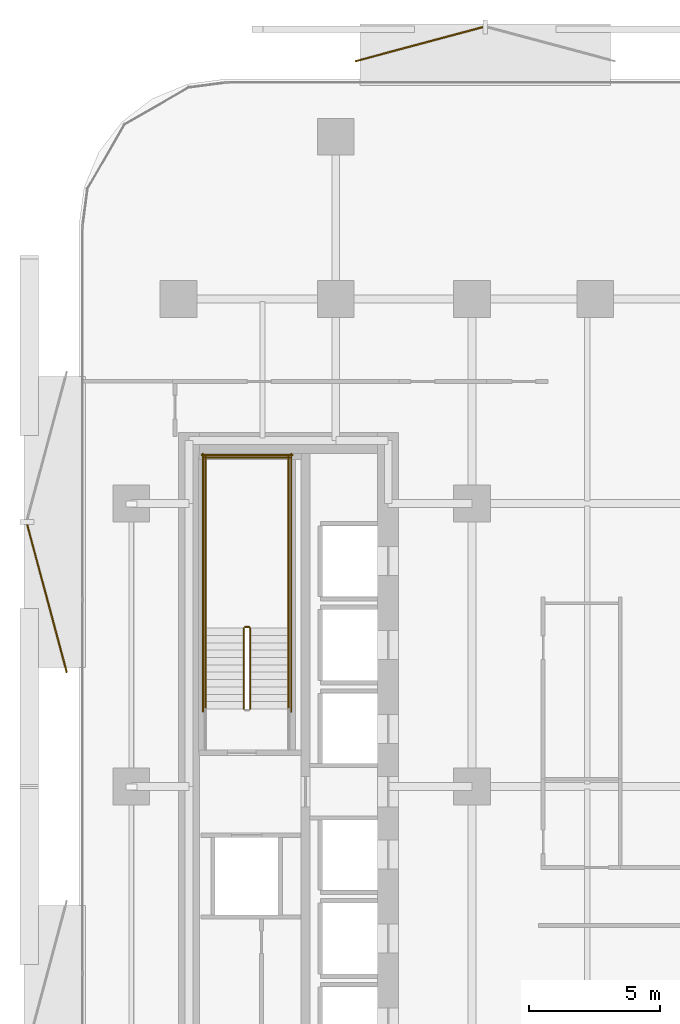
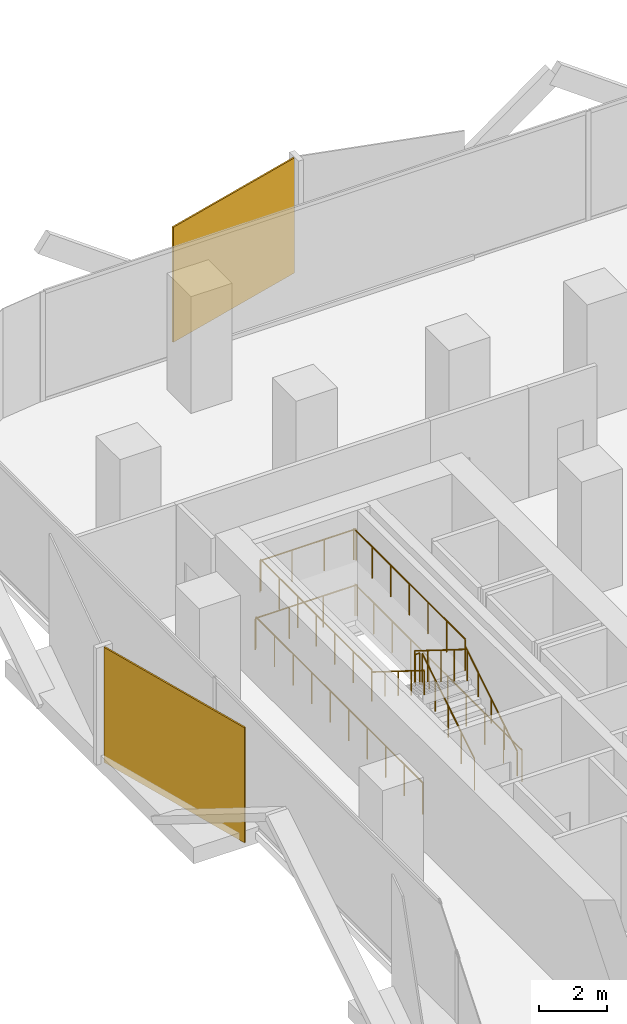
# One storey, part 14 of 15: 11 railings, 2 coverings.
"""IFC4 building model written with IfcOpenShell, lengths in metres."""

from ifc_helpers import new_model, si_unit, direction, frame, origin, origin_2d, place, context, subcontext, project, spatial, rectangle, circle, extrude, material, layer, layer_set, type_object, element, save


model = new_model("IFC4")

# Units and contexts
model_context = context("Model", 3, precision=1e-05, world=origin(), true_north=direction((0.0, 1.0)))
body_context = subcontext(model_context, "Body", "Model", "MODEL_VIEW")
ifc_project = project(units=[si_unit("LENGTHUNIT", "METRE"), si_unit("AREAUNIT", "SQUARE_METRE"), si_unit("VOLUMEUNIT", "CUBIC_METRE"), si_unit("PLANEANGLEUNIT", "RADIAN"), si_unit("MASSUNIT", "GRAM", prefix="KILO")], contexts=[model_context])

# Site, building, storey
site_placement = place(None, origin())
site = spatial("IfcSite", under=ifc_project, at=site_placement, CompositionType="ELEMENT")
building_placement = place(site_placement, origin())
building = spatial("IfcBuilding", under=site, at=building_placement, Name="Khairoan Windgate Tower", CompositionType="ELEMENT")
storey_placement = place(building_placement, frame((0.0, 0.0, 34.39990234375)))
storey = spatial("IfcBuildingStorey", under=building, at=storey_placement, Name="L08", CompositionType="ELEMENT", Elevation=34.39990234375)

# Coverings
ifc_material_1 = material(Name="Anodised Bronze Aluminium 6063-T6", Category="aluminium")
ifc_layer = layer(ifc_material_1, 0.054931640625, Name="Anodised Bronze Aluminium 6063-T6")
ifc_layer_set = layer_set([ifc_layer], Name="Anodised Bronze Aluminium 6063-T6")
covering_type = type_object("IfcCoveringType", Name="Perforated Bronze-Ceramic Folded Solar Screen Cladding BSC-1", PredefinedType="CLADDING", material=ifc_layer_set)
covering_1_placement = place(storey_placement, frame((-25.42236328125, 7.177734375, -0.099609375), z_axis=(0.0, 0.0, 1.0), x_axis=(-0.258819045103, 0.965925826289, 0.0)))
element("IfcCovering", 1, at=covering_1_placement, inside=storey, type_object=covering_type, Name="L08 Folded Bronze Solar Screen Facet 20L", PredefinedType="CLADDING", context=body_context, shape_type="SweptSolid", body=[
    extrude(rectangle(XDim=5.85498046875, YDim=0.054931640625, at=origin_2d()), origin(), (0.0, 0.0, 1.0), 4.139892578125),
])
covering_2_placement = place(storey_placement, frame((-11.220947265625, 28.327392578125, -0.099609375), z_axis=(0.0, 0.0, 1.0), x_axis=(0.965925826289, 0.258819045103, 0.0)))
element("IfcCovering", 2, at=covering_2_placement, inside=storey, type_object=covering_type, Name="L08 Folded Bronze Solar Screen Facet 21L", PredefinedType="CLADDING", context=body_context, shape_type="SweptSolid", body=[
    extrude(rectangle(XDim=5.04296875, YDim=0.054931640625, at=origin_2d()), origin(), (0.0, 0.0, 1.0), 4.139892578125),
])

# Railings
ifc_material_2 = material(Name="Anodised Bronze Aluminium 6063-T6", Category="aluminium")
railing_type_1 = type_object("IfcRailingType", Name="Stair Wall Handrail SHR-900", PredefinedType="HANDRAIL", material=ifc_material_2)
railing_1_placement = place(storey_placement, frame((-16.199951171875, 2.9599609375, 0.175048828125)))
element("IfcRailing", 3, at=railing_1_placement, inside=storey, type_object=railing_type_1, Name="L08 ST2 stair handrail 1", PredefinedType="HANDRAIL", context=body_context, shape_type="SweptSolid", body=[
    extrude(circle(Radius=0.02392578125, at=origin_2d()), frame((0.0, 0.0, 0.8759765625), z_axis=(0.0, 0.847998304005, 0.529998940003), x_axis=(-1.0, 0.0, 0.0)), (0.0, 0.0, 1.0), 3.632080078125),
    extrude(circle(Radius=0.02099609375, at=origin_2d()), origin(), (0.0, 0.0, 1.0), 0.851806640625),
    extrude(circle(Radius=0.02099609375, at=origin_2d()), frame((0.0, 0.77001953125, 0.481201171875)), (0.0, 0.0, 1.0), 0.851806640625),
    extrude(circle(Radius=0.02099609375, at=origin_2d()), frame((0.0, 1.5400390625, 0.96240234375)), (0.0, 0.0, 1.0), 0.851806640625),
    extrude(circle(Radius=0.02099609375, at=origin_2d()), frame((0.0, 2.31005859375, 1.44384765625)), (0.0, 0.0, 1.0), 0.851806640625),
    extrude(circle(Radius=0.02099609375, at=origin_2d()), frame((0.0, 3.080078125, 1.925048828125)), (0.0, 0.0, 1.0), 0.851806640625),
])
railing_2_placement = place(storey_placement, frame((-19.3701171875, 6.0400390625, 2.275146484375)))
element("IfcRailing", 4, at=railing_2_placement, inside=storey, type_object=railing_type_1, Name="L08 ST2 stair handrail 2", PredefinedType="HANDRAIL", context=body_context, shape_type="SweptSolid", body=[
    extrude(circle(Radius=0.02392578125, at=origin_2d()), frame((0.0, 0.0, 0.8759765625), z_axis=(0.0, -0.847998304005, 0.529998940003), x_axis=(1.0, 0.0, 0.0)), (0.0, 0.0, 1.0), 3.632080078125),
    extrude(circle(Radius=0.02099609375, at=origin_2d()), origin(), (0.0, 0.0, 1.0), 0.851806640625),
    extrude(circle(Radius=0.02099609375, at=origin_2d()), frame((0.0, -0.77001953125, 0.481201171875)), (0.0, 0.0, 1.0), 0.851806640625),
    extrude(circle(Radius=0.02099609375, at=origin_2d()), frame((0.0, -1.5400390625, 0.96240234375)), (0.0, 0.0, 1.0), 0.851806640625),
    extrude(circle(Radius=0.02099609375, at=origin_2d()), frame((0.0, -2.31005859375, 1.44384765625)), (0.0, 0.0, 1.0), 0.851806640625),
    extrude(circle(Radius=0.02099609375, at=origin_2d()), frame((0.0, -3.080078125, 1.925048828125)), (0.0, 0.0, 1.0), 0.851806640625),
])
ifc_material_3 = material(Name="Steel S355", Category="steel")
railing_type_2 = type_object("IfcRailingType", Name="Stairwell Safety Guardrail SGR-1150", PredefinedType="GUARDRAIL", material=ifc_material_3)
railing_3_placement = place(storey_placement, frame((-17.659912109375, 2.9599609375, 0.175048828125)))
element("IfcRailing", 5, at=railing_3_placement, inside=storey, type_object=railing_type_2, Name="L08 ST2 stair guard 1", PredefinedType="GUARDRAIL", context=body_context, shape_type="SweptSolid", body=[
    extrude(circle(Radius=0.02392578125, at=origin_2d()), frame((0.0, 0.0, 1.1259765625), z_axis=(0.0, 0.847998304005, 0.529998940003), x_axis=(-1.0, 0.0, 0.0)), (0.0, 0.0, 1.0), 3.632080078125),
    extrude(circle(Radius=0.02099609375, at=origin_2d()), origin(), (0.0, 0.0, 1.0), 1.101806640625),
    extrude(circle(Radius=0.02099609375, at=origin_2d()), frame((0.0, 0.77001953125, 0.481201171875)), (0.0, 0.0, 1.0), 1.101806640625),
    extrude(circle(Radius=0.02099609375, at=origin_2d()), frame((0.0, 1.5400390625, 0.96240234375)), (0.0, 0.0, 1.0), 1.101806640625),
    extrude(circle(Radius=0.02099609375, at=origin_2d()), frame((0.0, 2.31005859375, 1.44384765625)), (0.0, 0.0, 1.0), 1.101806640625),
    extrude(circle(Radius=0.02099609375, at=origin_2d()), frame((0.0, 3.080078125, 1.925048828125)), (0.0, 0.0, 1.0), 1.101806640625),
])
railing_4_placement = place(storey_placement, frame((-17.7099609375, 6.090087890625, 2.10009765625)))
element("IfcRailing", 6, at=railing_4_placement, inside=storey, type_object=railing_type_2, Name="L08 ST2 stair guard 2", PredefinedType="GUARDRAIL", context=body_context, shape_type="SweptSolid", body=[
    extrude(circle(Radius=0.02392578125, at=origin_2d()), frame((0.0, 0.0, 1.1259765625), z_axis=(-1.0, 0.0, 0.0), x_axis=(0.0, -1.0, 0.0)), (0.0, 0.0, 1.0), 0.150146484375),
    extrude(circle(Radius=0.02099609375, at=origin_2d()), origin(), (0.0, 0.0, 1.0), 1.101806640625),
    extrude(circle(Radius=0.02099609375, at=origin_2d()), frame((-0.150146484375, 0.0, 0.0)), (0.0, 0.0, 1.0), 1.101806640625),
])
for number, where, name in (
    (7, (-16.199951171875, 6.0400390625, 2.10009765625), "L08 ST2 stair guard 3"),
    (8, (-19.3701171875, 6.0400390625, 2.10009765625), "L08 ST2 stair guard 4"),
):
    element("IfcRailing", number, at=place(storey_placement, frame(where)), inside=storey, type_object=railing_type_2, Name=name, PredefinedType="GUARDRAIL", context=body_context, shape_type="SweptSolid", body=[
        extrude(circle(Radius=0.02392578125, at=origin_2d()), frame((0.0, 0.0, 1.1259765625), z_axis=(0.0, 1.0, 0.0), x_axis=(-1.0, 0.0, 0.0)), (0.0, 0.0, 1.0), 6.56005859375),
        extrude(circle(Radius=0.02099609375, at=origin_2d()), origin(), (0.0, 0.0, 1.0), 1.101806640625),
        extrude(circle(Radius=0.02099609375, at=origin_2d()), frame((0.0, 1.09326171875, 0.0)), (0.0, 0.0, 1.0), 1.101806640625),
        extrude(circle(Radius=0.02099609375, at=origin_2d()), frame((0.0, 2.186767578125, 0.0)), (0.0, 0.0, 1.0), 1.101806640625),
        extrude(circle(Radius=0.02099609375, at=origin_2d()), frame((0.0, 3.280029296875, 0.0)), (0.0, 0.0, 1.0), 1.101806640625),
        extrude(circle(Radius=0.02099609375, at=origin_2d()), frame((0.0, 4.373291015625, 0.0)), (0.0, 0.0, 1.0), 1.101806640625),
        extrude(circle(Radius=0.02099609375, at=origin_2d()), frame((0.0, 5.466796875, 0.0)), (0.0, 0.0, 1.0), 1.101806640625),
        extrude(circle(Radius=0.02099609375, at=origin_2d()), frame((0.0, 6.56005859375, 0.0)), (0.0, 0.0, 1.0), 1.101806640625),
    ])
railing_5_placement = place(storey_placement, frame((-16.14990234375, 12.550048828125, 2.10009765625)))
element("IfcRailing", 9, at=railing_5_placement, inside=storey, type_object=railing_type_2, Name="L08 ST2 stair guard 5", PredefinedType="GUARDRAIL", context=body_context, shape_type="SweptSolid", body=[
    extrude(circle(Radius=0.02392578125, at=origin_2d()), frame((0.0, 0.0, 1.1259765625), z_axis=(-1.0, 0.0, 0.0), x_axis=(0.0, -1.0, 0.0)), (0.0, 0.0, 1.0), 3.27001953125),
    extrude(circle(Radius=0.02099609375, at=origin_2d()), origin(), (0.0, 0.0, 1.0), 1.101806640625),
    extrude(circle(Radius=0.02099609375, at=origin_2d()), frame((-1.090087890625, 0.0, 0.0)), (0.0, 0.0, 1.0), 1.101806640625),
    extrude(circle(Radius=0.02099609375, at=origin_2d()), frame((-2.179931640625, 0.0, 0.0)), (0.0, 0.0, 1.0), 1.101806640625),
    extrude(circle(Radius=0.02099609375, at=origin_2d()), frame((-3.27001953125, 0.0, 0.0)), (0.0, 0.0, 1.0), 1.101806640625),
])
railing_6_placement = place(storey_placement, frame((-17.909912109375, 6.0400390625, 2.275146484375)))
element("IfcRailing", 10, at=railing_6_placement, inside=storey, type_object=railing_type_2, Name="L08 ST2 stair guard 6", PredefinedType="GUARDRAIL", context=body_context, shape_type="SweptSolid", body=[
    extrude(circle(Radius=0.02392578125, at=origin_2d()), frame((0.0, 0.0, 1.1259765625), z_axis=(0.0, -0.847998304005, 0.529998940003), x_axis=(1.0, 0.0, 0.0)), (0.0, 0.0, 1.0), 3.632080078125),
    extrude(circle(Radius=0.02099609375, at=origin_2d()), origin(), (0.0, 0.0, 1.0), 1.101806640625),
    extrude(circle(Radius=0.02099609375, at=origin_2d()), frame((0.0, -0.77001953125, 0.481201171875)), (0.0, 0.0, 1.0), 1.101806640625),
    extrude(circle(Radius=0.02099609375, at=origin_2d()), frame((0.0, -1.5400390625, 0.96240234375)), (0.0, 0.0, 1.0), 1.101806640625),
    extrude(circle(Radius=0.02099609375, at=origin_2d()), frame((0.0, -2.31005859375, 1.44384765625)), (0.0, 0.0, 1.0), 1.101806640625),
    extrude(circle(Radius=0.02099609375, at=origin_2d()), frame((0.0, -3.080078125, 1.925048828125)), (0.0, 0.0, 1.0), 1.101806640625),
])
for number, where, name in (
    (11, (-16.10009765625, 2.860107421875, 0.0), "L08 ST2 stair guard 10"),
    (12, (-19.469970703125, 2.860107421875, 0.0), "L08 ST2 stair guard 11"),
):
    element("IfcRailing", number, at=place(storey_placement, frame(where)), inside=storey, type_object=railing_type_2, Name=name, PredefinedType="GUARDRAIL", context=body_context, shape_type="SweptSolid", body=[
        extrude(circle(Radius=0.02392578125, at=origin_2d()), frame((0.0, 0.0, 1.1259765625), z_axis=(0.0, 1.0, 0.0), x_axis=(-1.0, 0.0, 0.0)), (0.0, 0.0, 1.0), 9.83984375),
        extrude(circle(Radius=0.02099609375, at=origin_2d()), origin(), (0.0, 0.0, 1.0), 1.101806640625),
        extrude(circle(Radius=0.02099609375, at=origin_2d()), frame((0.0, 1.09326171875, 0.0)), (0.0, 0.0, 1.0), 1.101806640625),
        extrude(circle(Radius=0.02099609375, at=origin_2d()), frame((0.0, 2.1865234375, 0.0)), (0.0, 0.0, 1.0), 1.101806640625),
        extrude(circle(Radius=0.02099609375, at=origin_2d()), frame((0.0, 3.280029296875, 0.0)), (0.0, 0.0, 1.0), 1.101806640625),
        extrude(circle(Radius=0.02099609375, at=origin_2d()), frame((0.0, 4.373291015625, 0.0)), (0.0, 0.0, 1.0), 1.101806640625),
        extrude(circle(Radius=0.02099609375, at=origin_2d()), frame((0.0, 5.466552734375, 0.0)), (0.0, 0.0, 1.0), 1.101806640625),
        extrude(circle(Radius=0.02099609375, at=origin_2d()), frame((0.0, 6.559814453125, 0.0)), (0.0, 0.0, 1.0), 1.101806640625),
        extrude(circle(Radius=0.02099609375, at=origin_2d()), frame((0.0, 7.6533203125, 0.0)), (0.0, 0.0, 1.0), 1.101806640625),
        extrude(circle(Radius=0.02099609375, at=origin_2d()), frame((0.0, 8.74658203125, 0.0)), (0.0, 0.0, 1.0), 1.101806640625),
        extrude(circle(Radius=0.02099609375, at=origin_2d()), frame((0.0, 9.83984375, 0.0)), (0.0, 0.0, 1.0), 1.101806640625),
    ])
railing_7_placement = place(storey_placement, frame((-16.050048828125, 12.64990234375, 0.0)))
element("IfcRailing", 13, at=railing_7_placement, inside=storey, type_object=railing_type_2, Name="L08 ST2 stair guard 12", PredefinedType="GUARDRAIL", context=body_context, shape_type="SweptSolid", body=[
    extrude(circle(Radius=0.02392578125, at=origin_2d()), frame((0.0, 0.0, 1.1259765625), z_axis=(-1.0, 0.0, 0.0), x_axis=(0.0, -1.0, 0.0)), (0.0, 0.0, 1.0), 3.469970703125),
    extrude(circle(Radius=0.02099609375, at=origin_2d()), origin(), (0.0, 0.0, 1.0), 1.101806640625),
    extrude(circle(Radius=0.02099609375, at=origin_2d()), frame((-1.15673828125, 0.0, 0.0)), (0.0, 0.0, 1.0), 1.101806640625),
    extrude(circle(Radius=0.02099609375, at=origin_2d()), frame((-2.313232421875, 0.0, 0.0)), (0.0, 0.0, 1.0), 1.101806640625),
    extrude(circle(Radius=0.02099609375, at=origin_2d()), frame((-3.469970703125, 0.0, 0.0)), (0.0, 0.0, 1.0), 1.101806640625),
])

save(model, "model.ifc")
